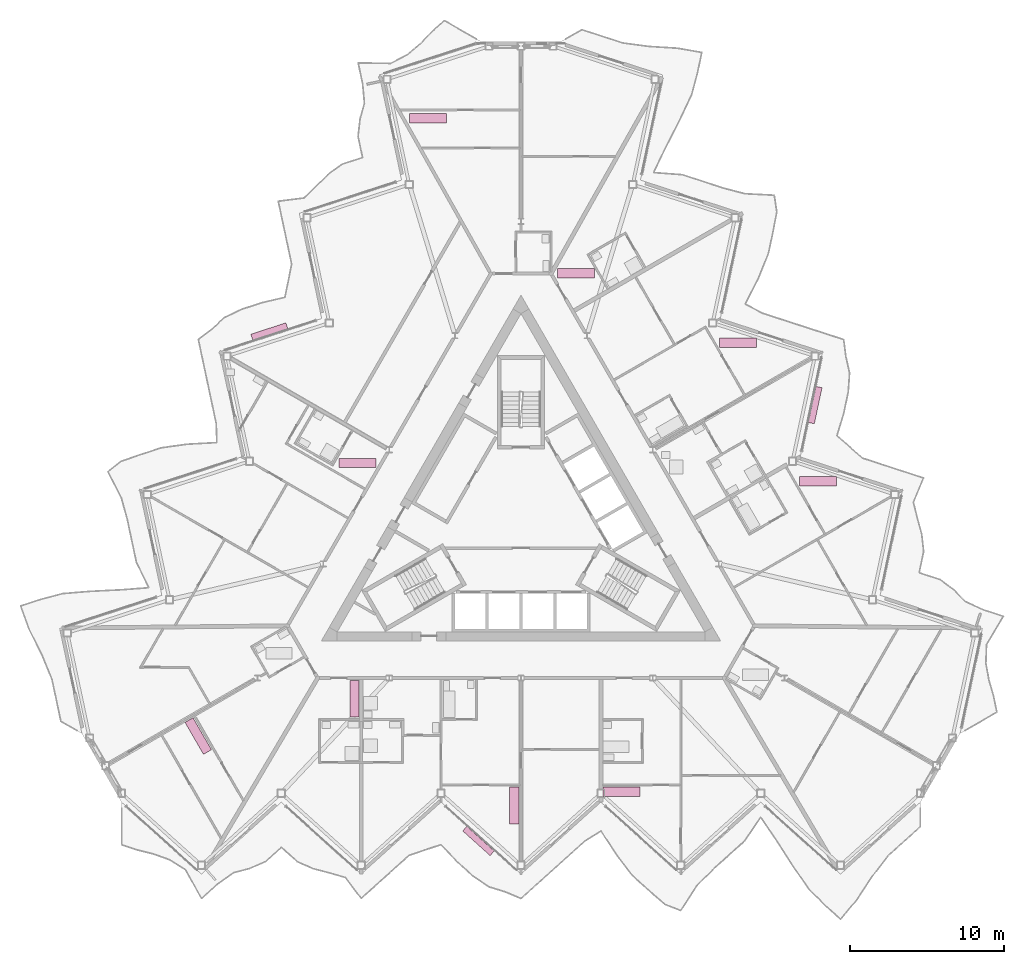
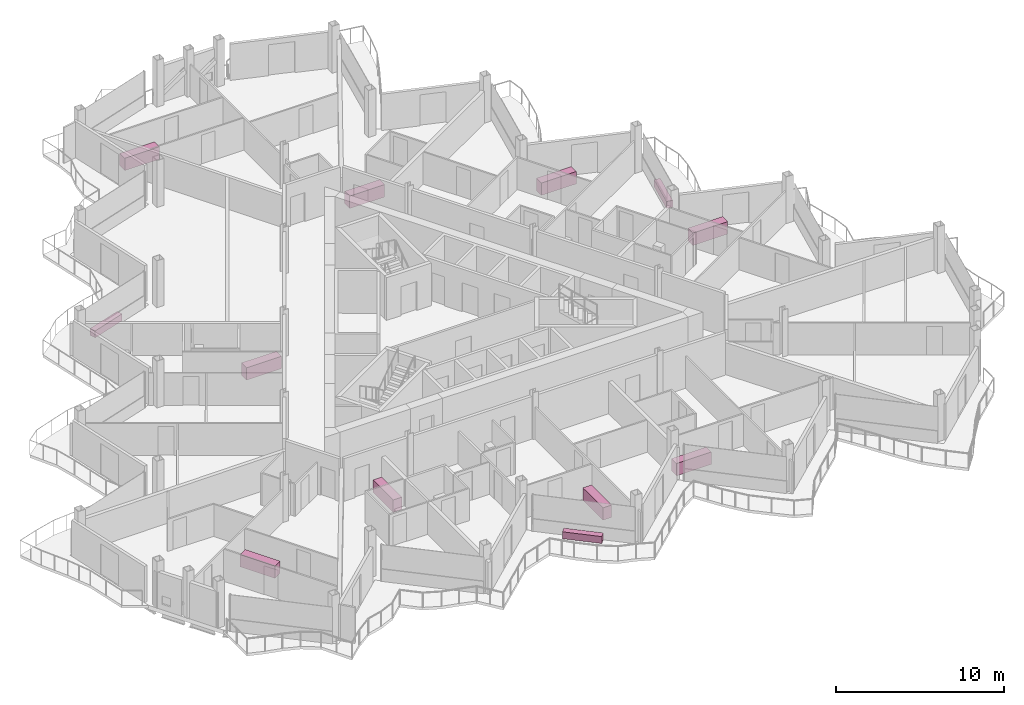
# One storey, part 26 of 26: 12 furniture elements.
"""IFC4 building model written with IfcOpenShell, lengths in metres."""

from ifc_helpers import new_model, si_unit, direction, frame, origin, origin_2d, place, context, subcontext, project, spatial, rectangle, extrude, material, type_object, element, save


model = new_model("IFC4")

# Units and contexts
model_context = context("Model", 3, precision=1e-05, world=origin(), true_north=direction((0.0, 1.0)))
body_context = subcontext(model_context, "Body", "Model", "MODEL_VIEW")
ifc_project = project(units=[si_unit("LENGTHUNIT", "METRE"), si_unit("AREAUNIT", "SQUARE_METRE"), si_unit("VOLUMEUNIT", "CUBIC_METRE"), si_unit("PLANEANGLEUNIT", "RADIAN"), si_unit("MASSUNIT", "GRAM", prefix="KILO")], contexts=[model_context])

# Site, building, storey
site_placement = place(None, origin())
site = spatial("IfcSite", under=ifc_project, at=site_placement, CompositionType="ELEMENT")
building_placement = place(site_placement, origin())
building = spatial("IfcBuilding", under=site, at=building_placement, Name="Cormorant Prow Tower", CompositionType="ELEMENT")
storey_placement = place(building_placement, frame((0.0, 0.0, 374.60009765625)))
storey = spatial("IfcBuildingStorey", under=building, at=storey_placement, Name="L84", CompositionType="ELEMENT", Elevation=374.60009765625)

# Furniture
ifc_material_1 = material(Name="Terracotta", Category="masonry")
furniture_type_1 = type_object("IfcFurnitureType", Name="Balcony planter 2400x400x500", AssemblyPlace="NOTDEFINED", PredefinedType="USERDEFINED", material=ifc_material_1)
for number, where, z_axis, x_axis, name in (
    (1, (-2.767333984375, -20.51025390625, 0.0), (0.0, 0.0, 1.0), (0.743144827638, -0.669130603959, 0.0), "Balcony planter S04"),
    (2, (19.14599609375, 7.858642578125, 0.0), (0.0, 0.0, 1.0), (0.207911620089, 0.978147615768, 0.0), "Balcony planter ENE04"),
    (3, (-16.37890625, 12.651611328125, 0.0), (0.0, 0.0, 1.0), (-0.951056534902, -0.309016937108, 0.0), "Balcony planter WNW04"),
):
    element("IfcFurniture", number, at=place(storey_placement, frame(where, z_axis=z_axis, x_axis=x_axis)), inside=storey, type_object=furniture_type_1, Name=name, ObjectType="PLANTER", PredefinedType="USERDEFINED", context=body_context, shape_type="SweptSolid", body=[
        extrude(rectangle(XDim=2.39990234375, YDim=0.39990234375, at=origin_2d()), origin(), (0.0, 0.0, 1.0), 0.5),
    ])
ifc_material_2 = material(Name="Timber joinery", Category="wood")
furniture_type_2 = type_object("IfcFurnitureType", Name="Kitchen counter 2400x600", AssemblyPlace="NOTDEFINED", PredefinedType="NOTDEFINED", material=ifc_material_2)
for number, where, z_axis, x_axis, name in (
    (4, (-10.844970703125, -11.25048828125, 0.0), (0.0, 0.0, 1.0), (0.0, -1.0, 0.0), "Kitchen counter"),
    (5, (-0.445068359375, -18.2080078125, 0.0), (0.0, 0.0, 1.0), (0.0, -1.0, 0.0), "Kitchen counter"),
    (6, (6.544921875, -17.30810546875, 0.0), (0.0, 0.0, 1.0), (1.0, 0.0, 0.0), "Kitchen counter"),
    (7, (19.33349609375, 2.904541015625, 0.0), (0.0, 0.0, 1.0), (1.0, 0.0, 0.0), "Kitchen counter"),
    (8, (14.133544921875, 11.911376953125, 0.0), (0.0, 0.0, 1.0), (1.0, 0.0, 0.0), "Kitchen counter"),
    (9, (3.572509765625, 16.439208984375, 0.0), (0.0, 0.0, 1.0), (1.0, 0.0, 0.0), "Kitchen counter"),
    (10, (-6.05810546875, 26.53369140625, 0.0), (0.0, 0.0, 1.0), (1.0, 0.0, 0.0), "Kitchen counter"),
    (11, (-10.644775390625, 4.08447265625, 0.0), (0.0, 0.0, 1.0), (1.0, 0.0, 0.0), "Kitchen counter"),
    (12, (-21.007080078125, -13.681396484375, 0.0), (0.0, 0.0, 1.0), (0.5, -0.866025403784, 0.0), "Kitchen counter"),
):
    element("IfcFurniture", number, at=place(storey_placement, frame(where, z_axis=z_axis, x_axis=x_axis)), inside=storey, type_object=furniture_type_2, Name=name, PredefinedType="NOTDEFINED", context=body_context, shape_type="SweptSolid", body=[
        extrude(rectangle(XDim=2.39990234375, YDim=0.60009765625, at=origin_2d()), origin(), (0.0, 0.0, 1.0), 0.89990234375),
    ])

save(model, "model.ifc")
